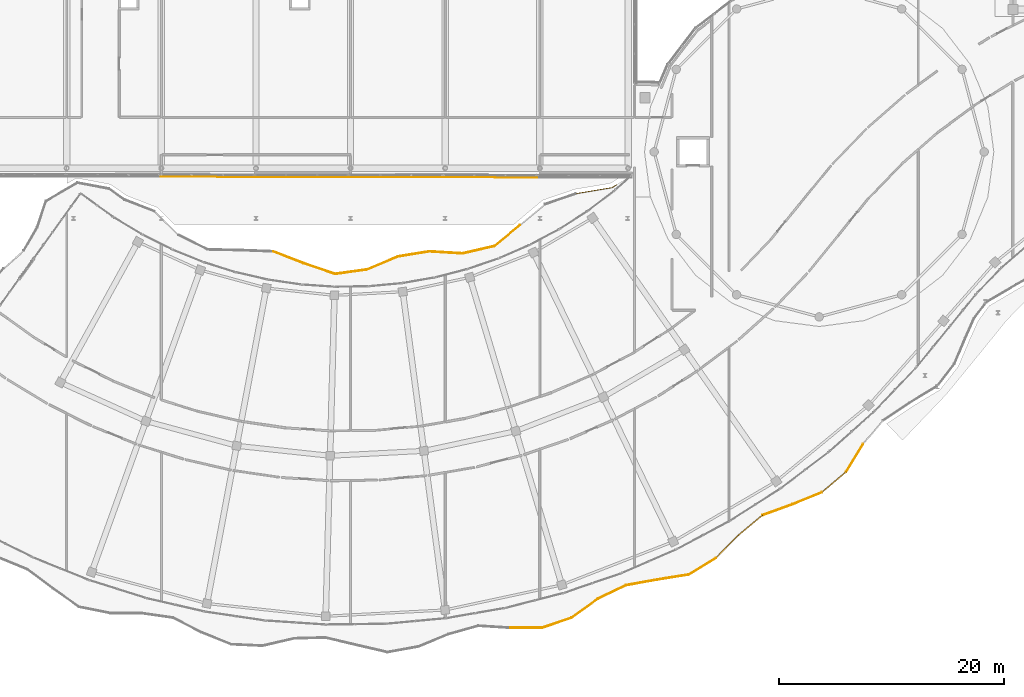
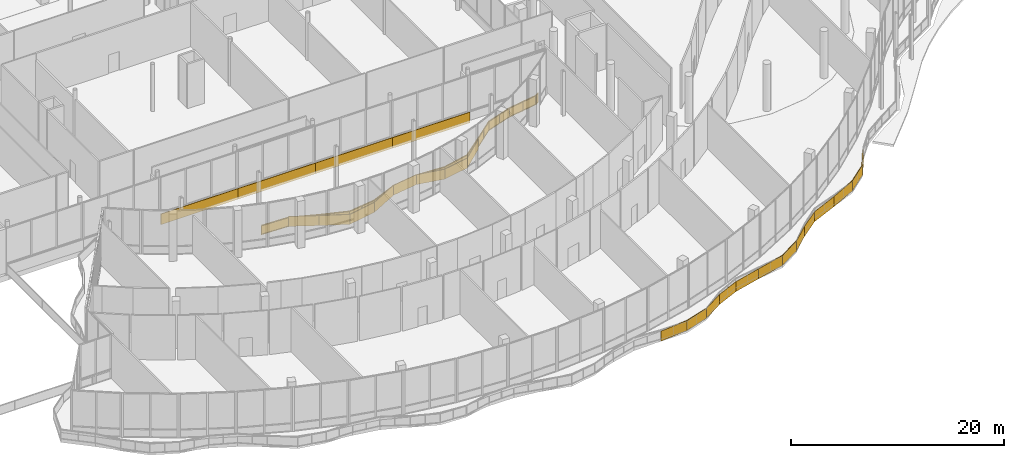
# One storey, part 150 of 158: 25 coverings, 1 railing.
"""IFC4 building model written with IfcOpenShell, lengths in metres."""

from ifc_helpers import new_model, si_unit, direction, frame, origin, origin_2d, place, context, subcontext, project, spatial, polyline, rectangle, outline, extrude, material, layer, layer_set, type_object, element, save


model = new_model("IFC4")

# Units and contexts
model_context = context("Model", 3, precision=1e-05, world=origin(), true_north=direction((0.0, 1.0)))
body_context = subcontext(model_context, "Body", "Model", "MODEL_VIEW")
ifc_project = project(units=[si_unit("LENGTHUNIT", "METRE"), si_unit("AREAUNIT", "SQUARE_METRE"), si_unit("VOLUMEUNIT", "CUBIC_METRE"), si_unit("PLANEANGLEUNIT", "RADIAN"), si_unit("MASSUNIT", "GRAM", prefix="KILO")], contexts=[model_context])

# Site, building, storey
site_placement = place(None, origin())
site = spatial("IfcSite", under=ifc_project, at=site_placement, CompositionType="ELEMENT")
building_placement = place(site_placement, origin())
building = spatial("IfcBuilding", under=site, at=building_placement, Name="Selatvlak General Hospital", CompositionType="ELEMENT")
storey_placement = place(building_placement, origin())
storey = spatial("IfcBuildingStorey", under=building, at=storey_placement, Name="L00", CompositionType="ELEMENT", Elevation=0.0)

# Coverings
ifc_material_1 = material(Name="PVDF aluminium fascia - oxide red", Category="aluminium")
ifc_layer_1 = layer(ifc_material_1, 0.070068359375, Name="PVDF aluminium fascia - oxide red", Category="aluminium")
ifc_layer_set_1 = layer_set([ifc_layer_1], Name="PVDF aluminium fascia - oxide red")
covering_type_1 = type_object("IfcCoveringType", Name="COV-RB-RED", PredefinedType="CLADDING", material=ifc_layer_set_1)
covering_1_placement = place(storey_placement, frame((70.553955078125, 11.742919921875, -0.18994140625), z_axis=(0.0, 0.0, 1.0), x_axis=(0.999999940965, 0.000343613071, 0.0)))
element("IfcCovering", 1, at=covering_1_placement, inside=storey, type_object=covering_type_1, Name="L00 De Stijl waving fascia streamer 033", PredefinedType="CLADDING", context=body_context, shape_type="SweptSolid", body=[
    extrude(outline(polyline([(0.0, 0.0), (2.842041015625, 0.23388671875), (2.842041015625, 1.373779296875), (0.0, 1.139892578125), (0.0, 0.0)])), frame((0.0, 0.03515625, 0.0), z_axis=(0.0, -1.0, 0.0), x_axis=(1.0, 0.0, 0.0)), (0.0, 0.0, 1.0), 0.070068359375),
])
covering_2_placement = place(storey_placement, frame((73.39501953125, 11.742919921875, 0.0439453125), z_axis=(0.0, 0.0, 1.0), x_axis=(0.946341347597, 0.323168769884, 0.0)))
element("IfcCovering", 2, at=covering_2_placement, inside=storey, type_object=covering_type_1, Name="L00 De Stijl waving fascia streamer 034", PredefinedType="CLADDING", context=body_context, shape_type="SweptSolid", body=[
    extrude(outline(polyline([(0.0, 0.0), (2.782470703125, -0.071044921875), (2.782470703125, 1.06884765625), (0.0, 1.139892578125), (0.0, 0.0)])), frame((0.0, 0.03515625, 0.0), z_axis=(0.0, -1.0, 0.0), x_axis=(1.0, 0.0, 0.0)), (0.0, 0.0, 1.0), 0.070068359375),
])
covering_3_placement = place(storey_placement, frame((76.027099609375, 12.64208984375, -0.027099609375), z_axis=(0.0, 0.0, 1.0), x_axis=(0.811400173728, 0.584491024802, 0.0)))
element("IfcCovering", 3, at=covering_3_placement, inside=storey, type_object=covering_type_1, Name="L00 De Stijl waving fascia streamer 035", PredefinedType="CLADDING", context=body_context, shape_type="SweptSolid", body=[
    extrude(outline(polyline([(0.0, 0.0), (2.899658203125, -0.281005859375), (2.899658203125, 0.85888671875), (0.0, 1.139892578125), (0.0, 0.0)])), frame((0.0, 0.03515625, 0.0), z_axis=(0.0, -1.0, 0.0), x_axis=(1.0, 0.0, 0.0)), (0.0, 0.0, 1.0), 0.070068359375),
])
covering_4_placement = place(storey_placement, frame((78.3798828125, 14.3369140625, -0.30810546875), z_axis=(0.0, 0.0, 1.0), x_axis=(0.902018488886, 0.431697400626, 0.0)))
element("IfcCovering", 4, at=covering_4_placement, inside=storey, type_object=covering_type_1, Name="L00 De Stijl waving fascia streamer 036", PredefinedType="CLADDING", context=body_context, shape_type="SweptSolid", body=[
    extrude(outline(polyline([(0.0, 0.0), (2.749755859375, -0.10498046875), (2.749755859375, 1.034912109375), (0.0, 1.139892578125), (0.0, 0.0)])), frame((0.0, 0.03515625, 0.0), z_axis=(0.0, -1.0, 0.0), x_axis=(1.0, 0.0, 0.0)), (0.0, 0.0, 1.0), 0.070068359375),
])
covering_5_placement = place(storey_placement, frame((80.85888671875, 15.52392578125, -0.4130859375), z_axis=(0.0, 0.0, 1.0), x_axis=(0.983911674031, 0.178655584029, 0.0)))
element("IfcCovering", 5, at=covering_5_placement, inside=storey, type_object=covering_type_1, Name="L00 De Stijl waving fascia streamer 037", PredefinedType="CLADDING", context=body_context, shape_type="SweptSolid", body=[
    extrude(outline(polyline([(0.0, 0.0), (2.80419921875, 0.213134765625), (2.80419921875, 1.35302734375), (0.0, 1.139892578125), (0.0, 0.0)])), frame((0.0, 0.03515625, 0.0), z_axis=(0.0, -1.0, 0.0), x_axis=(1.0, 0.0, 0.0)), (0.0, 0.0, 1.0), 0.070068359375),
])
covering_6_placement = place(storey_placement, frame((83.617919921875, 16.02490234375, -0.199951171875), z_axis=(0.0, 0.0, 1.0), x_axis=(0.987554838244, 0.157275050342, 0.0)))
element("IfcCovering", 6, at=covering_6_placement, inside=storey, type_object=covering_type_1, Name="L00 De Stijl waving fascia streamer 038", PredefinedType="CLADDING", context=body_context, shape_type="SweptSolid", body=[
    extrude(outline(polyline([(0.0, 0.0), (2.875, 0.240966796875), (2.875, 1.380859375), (0.0, 1.139892578125), (0.0, 0.0)])), frame((0.0, 0.03515625, 0.0), z_axis=(0.0, -1.0, 0.0), x_axis=(1.0, 0.0, 0.0)), (0.0, 0.0, 1.0), 0.070068359375),
])
covering_7_placement = place(storey_placement, frame((86.4560546875, 16.47607421875, 0.041015625), z_axis=(0.0, 0.0, 1.0), x_axis=(0.849701046784, 0.527264763752, 0.0)))
element("IfcCovering", 7, at=covering_7_placement, inside=storey, type_object=covering_type_1, Name="L00 De Stijl waving fascia streamer 039", PredefinedType="CLADDING", context=body_context, shape_type="SweptSolid", body=[
    extrude(outline(polyline([(0.0, 0.0), (2.787841796875, -0.06201171875), (2.787841796875, 1.077880859375), (0.0, 1.139892578125), (0.0, 0.0)])), frame((0.0, 0.03515625, 0.0), z_axis=(0.0, -1.0, 0.0), x_axis=(1.0, 0.0, 0.0)), (0.0, 0.0, 1.0), 0.070068359375),
])
covering_8_placement = place(storey_placement, frame((88.824951171875, 17.946044921875, -0.02099609375), z_axis=(0.0, 0.0, 1.0), x_axis=(0.706254435464, 0.707958100729, 0.0)))
element("IfcCovering", 8, at=covering_8_placement, inside=storey, type_object=covering_type_1, Name="L00 De Stijl waving fascia streamer 040", PredefinedType="CLADDING", context=body_context, shape_type="SweptSolid", body=[
    extrude(outline(polyline([(0.0, 0.0), (2.865966796875, -0.279052734375), (2.865966796875, 0.86083984375), (0.0, 1.139892578125), (0.0, 0.0)])), frame((0.0, 0.03515625, 0.0), z_axis=(0.0, -1.0, 0.0), x_axis=(1.0, 0.0, 0.0)), (0.0, 0.0, 1.0), 0.070068359375),
])
covering_9_placement = place(storey_placement, frame((90.847900390625, 19.97509765625, -0.300048828125), z_axis=(0.0, 0.0, 1.0), x_axis=(0.768221279597, 0.640184399664, 0.0)))
element("IfcCovering", 9, at=covering_9_placement, inside=storey, type_object=covering_type_1, Name="L00 De Stijl waving fascia streamer 041", PredefinedType="CLADDING", context=body_context, shape_type="SweptSolid", body=[
    extrude(outline(polyline([(0.0, 0.0), (2.764892578125, -0.114990234375), (2.764892578125, 1.02490234375), (0.0, 1.139892578125), (0.0, 0.0)])), frame((0.0, 0.03515625, 0.0), z_axis=(0.0, -1.0, 0.0), x_axis=(1.0, 0.0, 0.0)), (0.0, 0.0, 1.0), 0.070068359375),
])
covering_10_placement = place(storey_placement, frame((92.971923828125, 21.743896484375, -0.4150390625), z_axis=(0.0, 0.0, 1.0), x_axis=(0.939866632747, 0.341541670444, 0.0)))
element("IfcCovering", 10, at=covering_10_placement, inside=storey, type_object=covering_type_1, Name="L00 De Stijl waving fascia streamer 042", PredefinedType="CLADDING", context=body_context, shape_type="SweptSolid", body=[
    extrude(outline(polyline([(0.0, 0.0), (2.82275390625, 0.2060546875), (2.82275390625, 1.345947265625), (0.0, 1.139892578125), (0.0, 0.0)])), frame((0.0, 0.03515625, 0.0), z_axis=(0.0, -1.0, 0.0), x_axis=(1.0, 0.0, 0.0)), (0.0, 0.0, 1.0), 0.070068359375),
])
covering_11_placement = place(storey_placement, frame((95.6240234375, 22.7080078125, -0.208984375), z_axis=(0.0, 0.0, 1.0), x_axis=(0.92597045271, 0.377595975493, 0.0)))
element("IfcCovering", 11, at=covering_11_placement, inside=storey, type_object=covering_type_1, Name="L00 De Stijl waving fascia streamer 043", PredefinedType="CLADDING", context=body_context, shape_type="SweptSolid", body=[
    extrude(outline(polyline([(0.0, 0.0), (2.85205078125, 0.24609375), (2.85205078125, 1.385986328125), (0.0, 1.139892578125), (0.0, 0.0)])), frame((0.0, 0.03515625, 0.0), z_axis=(0.0, -1.0, 0.0), x_axis=(1.0, 0.0, 0.0)), (0.0, 0.0, 1.0), 0.070068359375),
])
covering_12_placement = place(storey_placement, frame((98.264892578125, 23.784912109375, 0.037109375), z_axis=(0.0, 0.0, 1.0), x_axis=(0.761982635716, 0.64759745434, 0.0)))
element("IfcCovering", 12, at=covering_12_placement, inside=storey, type_object=covering_type_1, Name="L00 De Stijl waving fascia streamer 044", PredefinedType="CLADDING", context=body_context, shape_type="SweptSolid", body=[
    extrude(outline(polyline([(0.0, 0.0), (2.781005859375, -0.051025390625), (2.781005859375, 1.0888671875), (0.0, 1.139892578125), (0.0, 0.0)])), frame((0.0, 0.03515625, 0.0), z_axis=(0.0, -1.0, 0.0), x_axis=(1.0, 0.0, 0.0)), (0.0, 0.0, 1.0), 0.070068359375),
])
covering_13_placement = place(storey_placement, frame((100.383056640625, 25.5849609375, -0.013916015625), z_axis=(0.0, 0.0, 1.0), x_axis=(0.523613019429, 0.851956222986, 0.0)))
element("IfcCovering", 13, at=covering_13_placement, inside=storey, type_object=covering_type_1, Name="L00 De Stijl waving fascia streamer 045", PredefinedType="CLADDING", context=body_context, shape_type="SweptSolid", body=[
    extrude(outline(polyline([(0.0, 0.0), (2.89697265625, -0.278076171875), (2.89697265625, 0.86181640625), (0.0, 1.139892578125), (0.0, 0.0)])), frame((0.0, 0.03515625, 0.0), z_axis=(0.0, -1.0, 0.0), x_axis=(1.0, 0.0, 0.0)), (0.0, 0.0, 1.0), 0.070068359375),
])
covering_14_placement = place(storey_placement, frame((71.458984375, 47.5009765625, -0.137939453125), z_axis=(0.0, 0.0, 1.0), x_axis=(-0.775145317664, -0.631782982126, 0.0)))
element("IfcCovering", 14, at=covering_14_placement, inside=storey, type_object=covering_type_1, Name="L00 De Stijl waving fascia streamer 090", PredefinedType="CLADDING", context=body_context, shape_type="SweptSolid", body=[
    extrude(outline(polyline([(0.0, 0.0), (2.963134765625, -0.26611328125), (2.963134765625, 0.873779296875), (0.0, 1.139892578125), (0.0, 0.0)])), frame((0.0, 0.03515625, 0.0), z_axis=(0.0, -1.0, 0.0), x_axis=(1.0, 0.0, 0.0)), (0.0, 0.0, 1.0), 0.070068359375),
])
covering_15_placement = place(storey_placement, frame((69.160888671875, 45.62890625, -0.404052734375), z_axis=(0.0, 0.0, 1.0), x_axis=(-0.974385500141, -0.224884186004, 0.0)))
element("IfcCovering", 15, at=covering_15_placement, inside=storey, type_object=covering_type_1, Name="L00 De Stijl waving fascia streamer 091", PredefinedType="CLADDING", context=body_context, shape_type="SweptSolid", body=[
    extrude(outline(polyline([(0.0, 0.0), (2.889892578125, 0.09912109375), (2.889892578125, 1.239013671875), (0.0, 1.139892578125), (0.0, 0.0)])), frame((0.0, 0.03515625, 0.0), z_axis=(0.0, -1.0, 0.0), x_axis=(1.0, 0.0, 0.0)), (0.0, 0.0, 1.0), 0.070068359375),
])
covering_16_placement = place(storey_placement, frame((66.343994140625, 44.97802734375, -0.304931640625), z_axis=(0.0, 0.0, 1.0), x_axis=(-0.998227641156, 0.059511145452, 0.0)))
element("IfcCovering", 16, at=covering_16_placement, inside=storey, type_object=covering_type_1, Name="L00 De Stijl waving fascia streamer 092", PredefinedType="CLADDING", context=body_context, shape_type="SweptSolid", body=[
    extrude(outline(polyline([(0.0, 0.0), (2.974365234375, 0.303955078125), (2.974365234375, 1.44384765625), (0.0, 1.139892578125), (0.0, 0.0)])), frame((0.0, 0.03515625, 0.0), z_axis=(0.0, -1.0, 0.0), x_axis=(1.0, 0.0, 0.0)), (0.0, 0.0, 1.0), 0.070068359375),
])
covering_17_placement = place(storey_placement, frame((63.3740234375, 45.155029296875, -0.0009765625), z_axis=(0.0, 0.0, 1.0), x_axis=(-0.987135731163, -0.159884484117, 0.0)))
element("IfcCovering", 17, at=covering_17_placement, inside=storey, type_object=covering_type_1, Name="L00 De Stijl waving fascia streamer 093", PredefinedType="CLADDING", context=body_context, shape_type="SweptSolid", body=[
    extrude(outline(polyline([(0.0, 0.0), (2.789794921875, 0.010986328125), (2.789794921875, 1.15087890625), (0.0, 1.139892578125), (0.0, 0.0)])), frame((0.0, 0.03515625, 0.0), z_axis=(0.0, -1.0, 0.0), x_axis=(1.0, 0.0, 0.0)), (0.0, 0.0, 1.0), 0.070068359375),
])
covering_18_placement = place(storey_placement, frame((60.617919921875, 44.708984375, 0.010009765625), z_axis=(0.0, 0.0, 1.0), x_axis=(-0.92096270409, -0.389650738066, 0.0)))
element("IfcCovering", 18, at=covering_18_placement, inside=storey, type_object=covering_type_1, Name="L00 De Stijl waving fascia streamer 094", PredefinedType="CLADDING", context=body_context, shape_type="SweptSolid", body=[
    extrude(outline(polyline([(0.0, 0.0), (2.96435546875, -0.300048828125), (2.96435546875, 0.83984375), (0.0, 1.139892578125), (0.0, 0.0)])), frame((0.0, 0.03515625, 0.0), z_axis=(0.0, -1.0, 0.0), x_axis=(1.0, 0.0, 0.0)), (0.0, 0.0, 1.0), 0.070068359375),
])
covering_19_placement = place(storey_placement, frame((57.886962890625, 43.553955078125, -0.2900390625), z_axis=(0.0, 0.0, 1.0), x_axis=(-0.990595125281, -0.136825793511, 0.0)))
element("IfcCovering", 19, at=covering_19_placement, inside=storey, type_object=covering_type_1, Name="L00 De Stijl waving fascia streamer 095", PredefinedType="CLADDING", context=body_context, shape_type="SweptSolid", body=[
    extrude(outline(polyline([(0.0, 0.0), (2.89404296875, -0.119873046875), (2.89404296875, 1.02001953125), (0.0, 1.139892578125), (0.0, 0.0)])), frame((0.0, 0.03515625, 0.0), z_axis=(0.0, -1.0, 0.0), x_axis=(1.0, 0.0, 0.0)), (0.0, 0.0, 1.0), 0.070068359375),
])
covering_20_placement = place(storey_placement, frame((55.01904296875, 43.157958984375, -0.409912109375), z_axis=(0.0, 0.0, 1.0), x_axis=(-0.946257606123, 0.323413887852, 0.0)))
element("IfcCovering", 20, at=covering_20_placement, inside=storey, type_object=covering_type_1, Name="L00 De Stijl waving fascia streamer 096", PredefinedType="CLADDING", context=body_context, shape_type="SweptSolid", body=[
    extrude(outline(polyline([(0.0, 0.0), (2.962158203125, 0.255859375), (2.962158203125, 1.395751953125), (0.0, 1.139892578125), (0.0, 0.0)])), frame((0.0, 0.03515625, 0.0), z_axis=(0.0, -1.0, 0.0), x_axis=(1.0, 0.0, 0.0)), (0.0, 0.0, 1.0), 0.070068359375),
])
covering_21_placement = place(storey_placement, frame((52.215087890625, 44.115966796875, -0.154052734375), z_axis=(0.0, 0.0, 1.0), x_axis=(-0.932224500443, 0.361880478575, 0.0)))
element("IfcCovering", 21, at=covering_21_placement, inside=storey, type_object=covering_type_1, Name="L00 De Stijl waving fascia streamer 097", PredefinedType="CLADDING", context=body_context, shape_type="SweptSolid", body=[
    extrude(outline(polyline([(0.0, 0.0), (2.8740234375, 0.213134765625), (2.8740234375, 1.35302734375), (0.0, 1.139892578125), (0.0, 0.0)])), frame((0.0, 0.03515625, 0.0), z_axis=(0.0, -1.0, 0.0), x_axis=(1.0, 0.0, 0.0)), (0.0, 0.0, 1.0), 0.070068359375),
])
ifc_material_2 = material(Name="White Bauhaus fair-faced cladding panel")
ifc_layer_2 = layer(ifc_material_2, 0.054931640625, Name="White Bauhaus fair-faced cladding panel")
ifc_layer_set_2 = layer_set([ifc_layer_2], Name="White Bauhaus fair-faced cladding panel")
covering_type_2 = type_object("IfcCoveringType", Name="COV-WHT1", PredefinedType="CLADDING", material=ifc_layer_set_2)
for number, where, z_axis, x_axis, name in (
    (22, (68.799072265625, 51.7529296875, -0.27978515625), (0.0, 0.0, 1.0), (-0.999998384157, 0.001797688161, 0.0), "L00 Bauhaus horizontal white spandrel band 0022"),
    (23, (60.43701171875, 51.76806640625, -0.27978515625), (0.0, 0.0, 1.0), (-0.999998384157, 0.001797688161, 0.0), "L00 Bauhaus horizontal white spandrel band 0023"),
):
    element("IfcCovering", number, at=place(storey_placement, frame(where, z_axis=z_axis, x_axis=x_axis)), inside=storey, type_object=covering_type_2, Name=name, PredefinedType="CLADDING", context=body_context, shape_type="SweptSolid", body=[
        extrude(rectangle(XDim=8.362060546875, YDim=0.054931640625, at=origin_2d()), origin(), (0.0, 0.0, 1.0), 1.219970703125),
    ])
covering_22_placement = place(storey_placement, frame((52.074951171875, 51.782958984375, -0.27978515625), z_axis=(0.0, 0.0, 1.0), x_axis=(-0.999998384157, 0.001797688161, 0.0)))
element("IfcCovering", 24, at=covering_22_placement, inside=storey, type_object=covering_type_2, Name="L00 Bauhaus horizontal white spandrel band 0024", PredefinedType="CLADDING", context=body_context, shape_type="SweptSolid", body=[
    extrude(rectangle(XDim=8.361083984375, YDim=0.054931640625, at=origin_2d()), origin(), (0.0, 0.0, 1.0), 1.219970703125),
])
covering_23_placement = place(storey_placement, frame((43.714111328125, 51.798095703125, -0.27978515625), z_axis=(0.0, 0.0, 1.0), x_axis=(-0.999998384157, 0.001797688161, 0.0)))
element("IfcCovering", 25, at=covering_23_placement, inside=storey, type_object=covering_type_2, Name="L00 Bauhaus horizontal white spandrel band 0025", PredefinedType="CLADDING", context=body_context, shape_type="SweptSolid", body=[
    extrude(rectangle(XDim=8.362060546875, YDim=0.054931640625, at=origin_2d()), origin(), (0.0, 0.0, 1.0), 1.219970703125),
])

# Railing
ifc_material_3 = material(Name="Stainless steel 316 safety balustrade", Category="steel")
railing_type = type_object("IfcRailingType", Name="RAIL-BAL1", PredefinedType="BALUSTRADE", material=ifc_material_3)
railing_placement = place(storey_placement, frame((46.69189453125, 45.277099609375, 0.0)))
element("IfcRailing", 26, at=railing_placement, inside=storey, type_object=railing_type, Name="L00 continuous curved balcony balustrade 0003", PredefinedType="BALUSTRADE", context=body_context, shape_type="SweptSolid", body=[
    extrude(rectangle(XDim=0.068115234375, YDim=0.068115234375, at=origin_2d()), frame((0.0029296875, 0.0, 1.0859375), z_axis=(0.999304579952, -0.037287484327, 0.0), x_axis=(0.037287484327, 0.999304579952, 0.0)), (0.0, 0.0, 1.0), 2.84228515625),
    extrude(rectangle(XDim=0.068115234375, YDim=0.068115234375, at=origin_2d()), frame((0.0029296875, 0.0, 0.049072265625), z_axis=(0.999304579952, -0.037287484327, 0.0), x_axis=(0.037287484327, 0.999304579952, 0.0)), (0.0, 0.0, 1.0), 2.84228515625),
    extrude(outline(polyline([(0.0, 0.0), (2.836181640625, 0.0), (2.836181640625, 0.94189453125), (0.0, 0.94189453125), (0.0, 0.0)])), frame((0.006591796875, 0.017822265625, 0.0849609375), z_axis=(-0.037287484327, -0.999304579952, 0.0), x_axis=(0.999304579952, -0.037287484327, 0.0)), (0.0, 0.0, 1.0), 0.031982421875),
    extrude(rectangle(XDim=0.068115234375, YDim=0.068115234375, at=origin_2d()), frame((2.848876953125, -0.107177734375, 1.0859375), z_axis=(0.932242034332, -0.361835307046, 0.0), x_axis=(0.361835307046, 0.932242034332, 0.0)), (0.0, 0.0, 1.0), 2.867919921875),
    extrude(rectangle(XDim=0.068115234375, YDim=0.068115234375, at=origin_2d()), frame((2.848876953125, -0.107177734375, 0.049072265625), z_axis=(0.932242034332, -0.361835307046, 0.0), x_axis=(0.361835307046, 0.932242034332, 0.0)), (0.0, 0.0, 1.0), 2.867919921875),
    extrude(outline(polyline([(0.0, 0.0), (2.861572265625, 0.0), (2.861572265625, 0.94189453125), (0.0, 0.94189453125), (0.0, 0.0)])), frame((2.8583984375, -0.091552734375, 0.0849609375), z_axis=(-0.361835307046, -0.932242034332, 0.0), x_axis=(0.932242034332, -0.361835307046, 0.0)), (0.0, 0.0, 1.0), 0.031982421875),
    extrude(rectangle(XDim=0.068115234375, YDim=0.068115234375, at=origin_2d()), frame((5.52783203125, -1.14697265625, 1.0859375), z_axis=(0.946257606123, -0.323413887852, 0.0), x_axis=(0.323413887852, 0.946257606123, 0.0)), (0.0, 0.0, 1.0), 2.956298828125),
    extrude(rectangle(XDim=0.068115234375, YDim=0.068115234375, at=origin_2d()), frame((5.52783203125, -1.14697265625, 0.049072265625), z_axis=(0.946257606123, -0.323413887852, 0.0), x_axis=(0.323413887852, 0.946257606123, 0.0)), (0.0, 0.0, 1.0), 2.956298828125),
    extrude(outline(polyline([(0.0, 0.0), (2.9501953125, 0.0), (2.9501953125, 0.94189453125), (0.0, 0.94189453125), (0.0, 0.0)])), frame((5.53662109375, -1.130859375, 0.0849609375), z_axis=(-0.323413887852, -0.946257606123, 0.0), x_axis=(0.946257606123, -0.323413887852, 0.0)), (0.0, 0.0, 1.0), 0.031982421875),
    extrude(rectangle(XDim=0.068115234375, YDim=0.068115234375, at=origin_2d()), frame((8.3310546875, -2.103515625, 1.0859375), z_axis=(0.990595125281, 0.136825793511, 0.0), x_axis=(-0.136825793511, 0.990595125281, 0.0)), (0.0, 0.0, 1.0), 2.88818359375),
    extrude(rectangle(XDim=0.068115234375, YDim=0.068115234375, at=origin_2d()), frame((8.3310546875, -2.103515625, 0.049072265625), z_axis=(0.990595125281, 0.136825793511, 0.0), x_axis=(-0.136825793511, 0.990595125281, 0.0)), (0.0, 0.0, 1.0), 2.88818359375),
    extrude(outline(polyline([(0.0, 0.0), (2.882080078125, 0.0), (2.882080078125, 0.94189453125), (0.0, 0.94189453125), (0.0, 0.0)])), frame((8.33154296875, -2.08544921875, 0.0849609375), z_axis=(0.136825793511, -0.990595125281, 0.0), x_axis=(0.990595125281, 0.136825793511, 0.0)), (0.0, 0.0, 1.0), 0.031982421875),
    extrude(rectangle(XDim=0.068115234375, YDim=0.068115234375, at=origin_2d()), frame((11.19775390625, -1.706787109375, 1.0859375), z_axis=(0.92096270409, 0.389650738066, 0.0), x_axis=(-0.389650738066, 0.92096270409, 0.0)), (0.0, 0.0, 1.0), 2.95849609375),
    extrude(rectangle(XDim=0.068115234375, YDim=0.068115234375, at=origin_2d()), frame((11.19775390625, -1.706787109375, 0.049072265625), z_axis=(0.92096270409, 0.389650738066, 0.0), x_axis=(-0.389650738066, 0.92096270409, 0.0)), (0.0, 0.0, 1.0), 2.95849609375),
    extrude(outline(polyline([(0.0, 0.0), (2.9521484375, 0.0), (2.9521484375, 0.94189453125), (0.0, 0.94189453125), (0.0, 0.0)])), frame((11.193603515625, -1.689208984375, 0.0849609375), z_axis=(0.389650738066, -0.92096270409, 0.0), x_axis=(0.92096270409, 0.389650738066, 0.0)), (0.0, 0.0, 1.0), 0.031982421875),
    extrude(rectangle(XDim=0.068115234375, YDim=0.068115234375, at=origin_2d()), frame((13.927978515625, -0.552490234375, 1.0859375), z_axis=(0.987151773925, 0.159785403704, 0.0), x_axis=(-0.159785403704, 0.987151773925, 0.0)), (0.0, 0.0, 1.0), 2.7841796875),
    extrude(rectangle(XDim=0.068115234375, YDim=0.068115234375, at=origin_2d()), frame((13.927978515625, -0.552490234375, 0.049072265625), z_axis=(0.987151773925, 0.159785403704, 0.0), x_axis=(-0.159785403704, 0.987151773925, 0.0)), (0.0, 0.0, 1.0), 2.7841796875),
    extrude(outline(polyline([(0.0, 0.0), (2.778076171875, 0.0), (2.778076171875, 0.94189453125), (0.0, 0.94189453125), (0.0, 0.0)])), frame((13.927978515625, -0.5341796875, 0.0849609375), z_axis=(0.159785403704, -0.987151773925, 0.0), x_axis=(0.987151773925, 0.159785403704, 0.0)), (0.0, 0.0, 1.0), 0.031982421875),
    extrude(rectangle(XDim=0.068115234375, YDim=0.068115234375, at=origin_2d()), frame((16.68212890625, -0.107421875, 1.0859375), z_axis=(0.998227641156, -0.059511145452, 0.0), x_axis=(0.059511145452, 0.998227641156, 0.0)), (0.0, 0.0, 1.0), 2.968505859375),
    extrude(rectangle(XDim=0.068115234375, YDim=0.068115234375, at=origin_2d()), frame((16.68212890625, -0.107421875, 0.049072265625), z_axis=(0.998227641156, -0.059511145452, 0.0), x_axis=(0.059511145452, 0.998227641156, 0.0)), (0.0, 0.0, 1.0), 2.968505859375),
    extrude(outline(polyline([(0.0, 0.0), (2.962158203125, 0.0), (2.962158203125, 0.94189453125), (0.0, 0.94189453125), (0.0, 0.0)])), frame((16.686279296875, -0.089599609375, 0.0849609375), z_axis=(-0.059511145452, -0.998227641156, 0.0), x_axis=(0.998227641156, -0.059511145452, 0.0)), (0.0, 0.0, 1.0), 0.031982421875),
    extrude(rectangle(XDim=0.068115234375, YDim=0.068115234375, at=origin_2d()), frame((19.651123046875, -0.283447265625, 1.0859375), z_axis=(0.974366985735, 0.224964390759, 0.0), x_axis=(-0.224964390759, 0.974366985735, 0.0)), (0.0, 0.0, 1.0), 2.884033203125),
    extrude(rectangle(XDim=0.068115234375, YDim=0.068115234375, at=origin_2d()), frame((19.651123046875, -0.283447265625, 0.049072265625), z_axis=(0.974366985735, 0.224964390759, 0.0), x_axis=(-0.224964390759, 0.974366985735, 0.0)), (0.0, 0.0, 1.0), 2.884033203125),
    extrude(outline(polyline([(0.0, 0.0), (2.8779296875, 0.0), (2.8779296875, 0.94189453125), (0.0, 0.94189453125), (0.0, 0.0)])), frame((19.64990234375, -0.265380859375, 0.0849609375), z_axis=(0.224964390759, -0.974366985735, 0.0), x_axis=(0.974366985735, 0.224964390759, 0.0)), (0.0, 0.0, 1.0), 0.031982421875),
    extrude(rectangle(XDim=0.068115234375, YDim=0.068115234375, at=origin_2d()), frame((22.46630859375, 0.367919921875, 1.0859375), z_axis=(0.775185667563, 0.631733472918, 0.0), x_axis=(-0.631733472918, 0.775185667563, 0.0)), (0.0, 0.0, 1.0), 2.95703125),
    extrude(rectangle(XDim=0.068115234375, YDim=0.068115234375, at=origin_2d()), frame((22.46630859375, 0.367919921875, 0.049072265625), z_axis=(0.775185667563, 0.631733472918, 0.0), x_axis=(-0.631733472918, 0.775185667563, 0.0)), (0.0, 0.0, 1.0), 2.95703125),
    extrude(outline(polyline([(0.0, 0.0), (2.950927734375, 0.0), (2.950927734375, 0.94189453125), (0.0, 0.94189453125), (0.0, 0.0)])), frame((22.457275390625, 0.3837890625, 0.0849609375), z_axis=(0.631733472918, -0.775185667563, 0.0), x_axis=(0.775185667563, 0.631733472918, 0.0)), (0.0, 0.0, 1.0), 0.031982421875),
    extrude(rectangle(XDim=0.068115234375, YDim=0.068115234375, at=origin_2d()), frame((24.76318359375, 2.23974609375, 1.0859375), z_axis=(0.766157721435, 0.642652585684, 0.0), x_axis=(-0.642652585684, 0.766157721435, 0.0)), (0.0, 0.0, 1.0), 2.8603515625),
    extrude(rectangle(XDim=0.068115234375, YDim=0.068115234375, at=origin_2d()), frame((24.76318359375, 2.23974609375, 0.049072265625), z_axis=(0.766157721435, 0.642652585684, 0.0), x_axis=(-0.642652585684, 0.766157721435, 0.0)), (0.0, 0.0, 1.0), 2.8603515625),
    extrude(outline(polyline([(0.0, 0.0), (2.854248046875, 0.0), (2.854248046875, 0.94189453125), (0.0, 0.94189453125), (0.0, 0.0)])), frame((24.75390625, 2.25537109375, 0.0849609375), z_axis=(0.642652585684, -0.766157721435, 0.0), x_axis=(0.766157721435, 0.642652585684, 0.0)), (0.0, 0.0, 1.0), 0.031982421875),
    extrude(rectangle(XDim=0.068115234375, YDim=0.068115234375, at=origin_2d()), frame((26.959716796875, 4.080810546875, 1.0859375), z_axis=(0.946574142107, 0.322486268691, 0.0), x_axis=(-0.322486268691, 0.946574142107, 0.0)), (0.0, 0.0, 1.0), 2.881591796875),
    extrude(rectangle(XDim=0.068115234375, YDim=0.068115234375, at=origin_2d()), frame((26.959716796875, 4.080810546875, 0.049072265625), z_axis=(0.946574142107, 0.322486268691, 0.0), x_axis=(-0.322486268691, 0.946574142107, 0.0)), (0.0, 0.0, 1.0), 2.881591796875),
    extrude(outline(polyline([(0.0, 0.0), (2.87548828125, 0.0), (2.87548828125, 0.94189453125), (0.0, 0.94189453125), (0.0, 0.0)])), frame((26.956787109375, 4.098876953125, 0.0849609375), z_axis=(0.322486268691, -0.946574142107, 0.0), x_axis=(0.946574142107, 0.322486268691, 0.0)), (0.0, 0.0, 1.0), 0.031982421875),
    extrude(rectangle(XDim=0.068115234375, YDim=0.068115234375, at=origin_2d()), frame((29.693115234375, 5.011474609375, 1.0859375), z_axis=(0.986359572181, 0.164604964587, 0.0), x_axis=(-0.164604964587, 0.986359572181, 0.0)), (0.0, 0.0, 1.0), 3.26171875),
    extrude(rectangle(XDim=0.068115234375, YDim=0.068115234375, at=origin_2d()), frame((29.693115234375, 5.011474609375, 0.049072265625), z_axis=(0.986359572181, 0.164604964587, 0.0), x_axis=(-0.164604964587, 0.986359572181, 0.0)), (0.0, 0.0, 1.0), 3.26171875),
    extrude(outline(polyline([(0.0, 0.0), (3.25537109375, 0.0), (3.25537109375, 0.94189453125), (0.0, 0.94189453125), (0.0, 0.0)])), frame((29.693115234375, 5.02978515625, 0.0849609375), z_axis=(0.164604964587, -0.986359572181, 0.0), x_axis=(0.986359572181, 0.164604964587, 0.0)), (0.0, 0.0, 1.0), 0.031982421875),
    extrude(rectangle(XDim=0.068115234375, YDim=0.068115234375, at=origin_2d()), frame((32.91552734375, 5.55029296875, 1.0859375), z_axis=(0.844781077424, 0.53511207352, 0.0), x_axis=(-0.53511207352, 0.844781077424, 0.0)), (0.0, 0.0, 1.0), 0.478271484375),
    extrude(rectangle(XDim=0.068115234375, YDim=0.068115234375, at=origin_2d()), frame((32.91552734375, 5.55029296875, 0.049072265625), z_axis=(0.844781077424, 0.53511207352, 0.0), x_axis=(-0.53511207352, 0.844781077424, 0.0)), (0.0, 0.0, 1.0), 0.478271484375),
    extrude(outline(polyline([(0.0, 0.0), (0.47216796875, 0.0), (0.47216796875, 0.94189453125), (0.0, 0.94189453125), (0.0, 0.0)])), frame((32.908447265625, 5.567138671875, 0.0849609375), z_axis=(0.53511207352, -0.844781077424, 0.0), x_axis=(0.844781077424, 0.53511207352, 0.0)), (0.0, 0.0, 1.0), 0.031982421875),
    extrude(rectangle(XDim=0.055908203125, YDim=0.055908203125, at=origin_2d()), origin(), (0.0, 0.0, 1.0), 1.049072265625),
    extrude(rectangle(XDim=0.055908203125, YDim=0.055908203125, at=origin_2d()), frame((1.423095703125, -0.05322265625, 0.0)), (0.0, 0.0, 1.0), 1.049072265625),
    extrude(rectangle(XDim=0.055908203125, YDim=0.055908203125, at=origin_2d()), frame((2.84619140625, -0.106201171875, 0.0)), (0.0, 0.0, 1.0), 1.049072265625),
    extrude(rectangle(XDim=0.055908203125, YDim=0.055908203125, at=origin_2d()), frame((4.185546875, -0.6259765625, 0.0)), (0.0, 0.0, 1.0), 1.049072265625),
    extrude(rectangle(XDim=0.055908203125, YDim=0.055908203125, at=origin_2d()), frame((5.525146484375, -1.14599609375, 0.0)), (0.0, 0.0, 1.0), 1.049072265625),
    extrude(rectangle(XDim=0.055908203125, YDim=0.055908203125, at=origin_2d()), frame((6.9267578125, -1.625, 0.0)), (0.0, 0.0, 1.0), 1.049072265625),
    extrude(rectangle(XDim=0.055908203125, YDim=0.055908203125, at=origin_2d()), frame((8.328125, -2.10400390625, 0.0)), (0.0, 0.0, 1.0), 1.049072265625),
    extrude(rectangle(XDim=0.055908203125, YDim=0.055908203125, at=origin_2d()), frame((9.76171875, -1.906005859375, 0.0)), (0.0, 0.0, 1.0), 1.049072265625),
    extrude(rectangle(XDim=0.055908203125, YDim=0.055908203125, at=origin_2d()), frame((11.195068359375, -1.7080078125, 0.0)), (0.0, 0.0, 1.0), 1.049072265625),
    extrude(rectangle(XDim=0.055908203125, YDim=0.055908203125, at=origin_2d()), frame((12.56005859375, -1.13037109375, 0.0)), (0.0, 0.0, 1.0), 1.049072265625),
    extrude(rectangle(XDim=0.055908203125, YDim=0.055908203125, at=origin_2d()), frame((13.925048828125, -0.552978515625, 0.0)), (0.0, 0.0, 1.0), 1.049072265625),
    extrude(rectangle(XDim=0.055908203125, YDim=0.055908203125, at=origin_2d()), frame((15.30224609375, -0.330078125, 0.0)), (0.0, 0.0, 1.0), 1.049072265625),
    extrude(rectangle(XDim=0.055908203125, YDim=0.055908203125, at=origin_2d()), frame((16.67919921875, -0.107177734375, 0.0)), (0.0, 0.0, 1.0), 1.049072265625),
    extrude(rectangle(XDim=0.055908203125, YDim=0.055908203125, at=origin_2d()), frame((18.16357421875, -0.19580078125, 0.0)), (0.0, 0.0, 1.0), 1.049072265625),
    extrude(rectangle(XDim=0.055908203125, YDim=0.055908203125, at=origin_2d()), frame((19.648193359375, -0.2841796875, 0.0)), (0.0, 0.0, 1.0), 1.049072265625),
    extrude(rectangle(XDim=0.055908203125, YDim=0.055908203125, at=origin_2d()), frame((21.05615234375, 0.041015625, 0.0)), (0.0, 0.0, 1.0), 1.049072265625),
    extrude(rectangle(XDim=0.055908203125, YDim=0.055908203125, at=origin_2d()), frame((22.464111328125, 0.365966796875, 0.0)), (0.0, 0.0, 1.0), 1.049072265625),
    extrude(rectangle(XDim=0.055908203125, YDim=0.055908203125, at=origin_2d()), frame((23.612548828125, 1.3017578125, 0.0)), (0.0, 0.0, 1.0), 1.049072265625),
    extrude(rectangle(XDim=0.055908203125, YDim=0.055908203125, at=origin_2d()), frame((24.760986328125, 2.23779296875, 0.0)), (0.0, 0.0, 1.0), 1.049072265625),
    extrude(rectangle(XDim=0.055908203125, YDim=0.055908203125, at=origin_2d()), frame((25.85888671875, 3.15869140625, 0.0)), (0.0, 0.0, 1.0), 1.049072265625),
    extrude(rectangle(XDim=0.055908203125, YDim=0.055908203125, at=origin_2d()), frame((26.95703125, 4.079833984375, 0.0)), (0.0, 0.0, 1.0), 1.049072265625),
    extrude(rectangle(XDim=0.055908203125, YDim=0.055908203125, at=origin_2d()), frame((28.32373046875, 4.54541015625, 0.0)), (0.0, 0.0, 1.0), 1.049072265625),
    extrude(rectangle(XDim=0.055908203125, YDim=0.055908203125, at=origin_2d()), frame((29.690185546875, 5.010986328125, 0.0)), (0.0, 0.0, 1.0), 1.049072265625),
    extrude(rectangle(XDim=0.055908203125, YDim=0.055908203125, at=origin_2d()), frame((31.3017578125, 5.27978515625, 0.0)), (0.0, 0.0, 1.0), 1.049072265625),
    extrude(rectangle(XDim=0.055908203125, YDim=0.055908203125, at=origin_2d()), frame((32.9130859375, 5.548828125, 0.0)), (0.0, 0.0, 1.0), 1.049072265625),
    extrude(rectangle(XDim=0.055908203125, YDim=0.055908203125, at=origin_2d()), frame((33.322021484375, 5.807861328125, 0.0)), (0.0, 0.0, 1.0), 1.049072265625),
])

save(model, "model.ifc")
